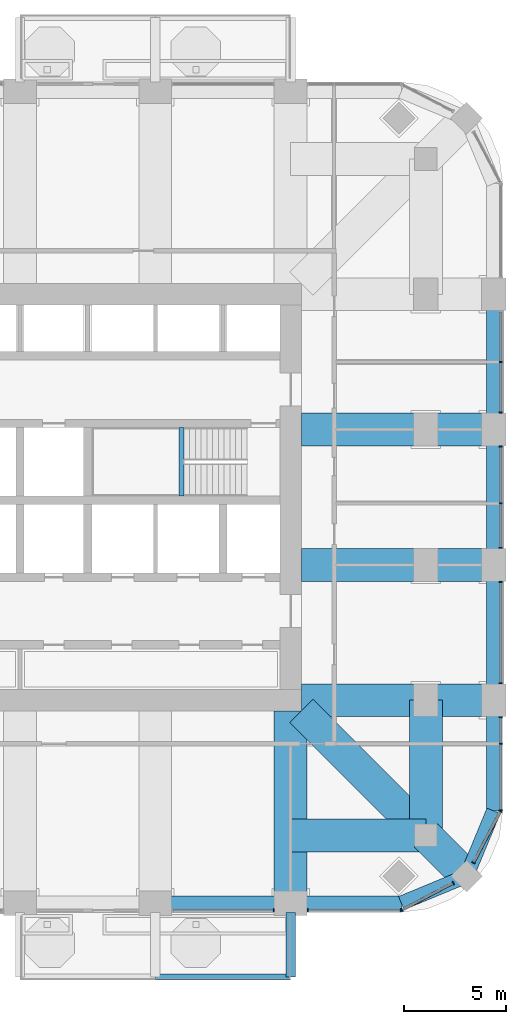
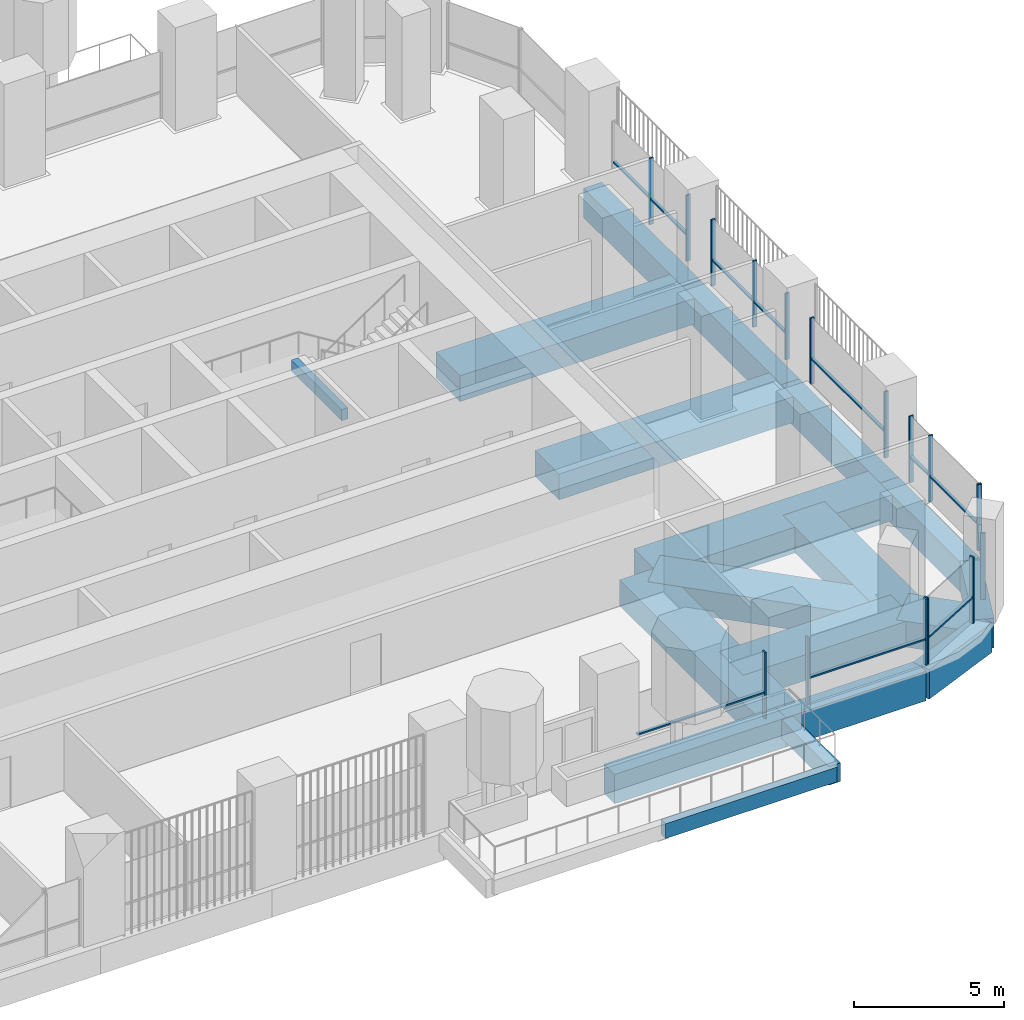
# One storey, part 5 of 19: 28 members, 19 beams, 8 elements without a shape of their own.
"""IFC4 building model written with IfcOpenShell, lengths in metres."""

from ifc_helpers import new_model, si_unit, direction, frame, origin, origin_2d, place, context, subcontext, project, spatial, rectangle, extrude, material, material_profile, profile_set, type_object, element, aggregate, save


model = new_model("IFC4")

# Units and contexts
model_context = context("Model", 3, precision=1e-05, world=origin(), true_north=direction((0.0, 1.0)))
body_context = subcontext(model_context, "Body", "Model", "MODEL_VIEW")
ifc_project = project(units=[si_unit("LENGTHUNIT", "METRE"), si_unit("AREAUNIT", "SQUARE_METRE"), si_unit("VOLUMEUNIT", "CUBIC_METRE"), si_unit("PLANEANGLEUNIT", "RADIAN"), si_unit("MASSUNIT", "GRAM", prefix="KILO")], contexts=[model_context])

# Site, building, storey
site_placement = place(None, origin())
site = spatial("IfcSite", under=ifc_project, at=site_placement, CompositionType="ELEMENT")
building_placement = place(site_placement, origin())
building = spatial("IfcBuilding", under=site, at=building_placement, Name="Cobogo Forest Laboratory Tower", CompositionType="ELEMENT")
storey_placement = place(building_placement, frame((0.0, 0.0, 206.10009765625)))
storey = spatial("IfcBuildingStorey", under=building, at=storey_placement, Name="L47", CompositionType="ELEMENT", Elevation=206.10009765625)

# Beams
ifc_material_1 = material(Name="Concrete HA-40 (C40/50)", Category="concrete")
ifc_material_profile_1 = material_profile(ifc_material_1, rectangle(XDim=0.449951171875, YDim=0.75, at=origin_2d()), Name="RC 450x750")
ifc_profile_set_1 = profile_set([ifc_material_profile_1], Name="Concrete HA-40 (C40/50)")
beam_type_1 = type_object("IfcBeamType", Name="Balcony cantilever beam 450x750", PredefinedType="BEAM", material=ifc_profile_set_1)
beam_1_placement = place(storey_placement, frame((39.60009765625, 2.85009765625, -0.625), z_axis=(0.0, -1.0, 0.0), x_axis=(1.0, 0.0, 0.0)))
element("IfcBeam", 1, at=beam_1_placement, inside=storey, type_object=beam_type_1, Name="CB1 BAL-S1-C3 L47", PredefinedType="BEAM", context=body_context, shape_type="SweptSolid", body=[
    extrude(rectangle(XDim=0.449951171875, YDim=0.75, at=origin_2d()), origin(), (0.0, 0.0, 1.0), 3.150146484375),
])
ifc_material_profile_2 = material_profile(ifc_material_1, rectangle(XDim=0.300048828125, YDim=0.60009765625, at=origin_2d()), Name="RC 300x600")
ifc_profile_set_2 = profile_set([ifc_material_profile_2], Name="Concrete HA-40 (C40/50)")
beam_type_2 = type_object("IfcBeamType", Name="Balcony edge beam 300x600", PredefinedType="BEAM", material=ifc_profile_set_2)
beam_2_placement = place(storey_placement, frame((33.0, -0.300048828125, -0.550048828125), z_axis=(1.0, 0.0, 0.0), x_axis=(0.0, 1.0, 0.0)))
element("IfcBeam", 2, at=beam_2_placement, inside=storey, type_object=beam_type_2, Name="BB1 BAL-S1-T2 L47", PredefinedType="BEAM", context=body_context, shape_type="SweptSolid", body=[
    extrude(rectangle(XDim=0.300048828125, YDim=0.60009765625, at=origin_2d()), origin(), (0.0, 0.0, 1.0), 6.60009765625),
])
ifc_material_profile_3 = material_profile(ifc_material_1, rectangle(XDim=0.25, YDim=0.449951171875, at=origin_2d()), Name="RC 250x450")
ifc_profile_set_3 = profile_set([ifc_material_profile_3], Name="Concrete HA-40 (C40/50)")
beam_type_3 = type_object("IfcBeamType", Name="LB1 landing beam 250x450", PredefinedType="BEAM", material=ifc_profile_set_3)
beam_3_placement = place(storey_placement, frame((34.27001953125, 23.14990234375, 1.6748046875), z_axis=(0.0, 1.0, 0.0), x_axis=(-1.0, 0.0, 0.0)))
element("IfcBeam", 3, at=beam_3_placement, inside=storey, type_object=beam_type_3, Name="Landing beam ST2 L47", PredefinedType="BEAM", context=body_context, shape_type="SweptSolid", body=[
    extrude(rectangle(XDim=0.25, YDim=0.449951171875, at=origin_2d()), origin(), (0.0, 0.0, 1.0), 3.35009765625),
])
ifc_material_2 = material(Name="Concrete HA-50 (C50/60)", Category="concrete")
ifc_material_profile_4 = material_profile(ifc_material_2, rectangle(XDim=1.60009765625, YDim=1.050048828125, at=origin_2d()), Name="RC 1600x1050")
ifc_profile_set_4 = profile_set([ifc_material_profile_4], Name="Concrete HA-50 (C50/60)")
beam_type_4 = type_object("IfcBeamType", Name="Laboratory floor wide beam 1600x1050", PredefinedType="BEAM", material=ifc_profile_set_4)
for number, where, z_axis, x_axis, name in (
    (4, (39.60009765625, 12.675048828125, -0.8251953125), (0.0, -1.0, 0.0), (1.0, 0.0, 0.0), "RB8 R-7-S L47"),
    (5, (40.125, 13.199951171875, -0.8251953125), (1.0, 0.0, 0.0), (0.0, 1.0, 0.0), "RB8 R-C-E L47"),
    (6, (40.125, 19.800048828125, -0.8251953125), (1.0, 0.0, 0.0), (0.0, 1.0, 0.0), "RB8 R-D-E L47"),
    (7, (40.125, 26.39990234375, -0.8251953125), (1.0, 0.0, 0.0), (0.0, 1.0, 0.0), "RB8 R-E-E L47"),
):
    element("IfcBeam", number, at=place(storey_placement, frame(where, z_axis=z_axis, x_axis=x_axis)), inside=storey, type_object=beam_type_4, Name=name, PredefinedType="BEAM", context=body_context, shape_type="SweptSolid", body=[
        extrude(rectangle(XDim=1.60009765625, YDim=1.050048828125, at=origin_2d()), origin(), (0.0, 0.0, 1.0), 9.375),
    ])
for number, where, z_axis, x_axis, name in (
    (8, (46.199951171875, 6.60009765625, -0.8251953125), (0.0, 1.0, 0.0), (-1.0, 0.0, 0.0), "RB8 G-SE-XC L47"),
    (9, (46.199951171875, 6.60009765625, -0.8251953125), (-1.0, 0.0, 0.0), (0.0, -1.0, 0.0), "RB8 G-SE-YC L47"),
):
    element("IfcBeam", number, at=place(storey_placement, frame(where, z_axis=z_axis, x_axis=x_axis)), inside=storey, type_object=beam_type_4, Name=name, PredefinedType="BEAM", context=body_context, shape_type="SweptSolid", body=[
        extrude(rectangle(XDim=1.60009765625, YDim=1.050048828125, at=origin_2d()), origin(), (0.0, 0.0, 1.0), 6.599853515625),
    ])
beam_4_placement = place(storey_placement, frame((48.181884765625, 4.617919921875, -0.8251953125), z_axis=(-0.707063230743, 0.707150328948, 0.0), x_axis=(-0.707150328948, -0.707063230743, 0.0)))
element("IfcBeam", 10, at=beam_4_placement, inside=storey, type_object=beam_type_4, Name="RB8 G-SE-D1 L47", PredefinedType="BEAM", context=body_context, shape_type="SweptSolid", body=[
    extrude(rectangle(XDim=1.60009765625, YDim=1.050048828125, at=origin_2d()), origin(), (0.0, 0.0, 1.0), 2.802978515625),
])
beam_5_placement = place(storey_placement, frame((46.199951171875, 6.60009765625, -0.8251953125), z_axis=(-0.707106781187, 0.707106781187, 0.0), x_axis=(-0.707106781187, -0.707106781187, 0.0)))
element("IfcBeam", 11, at=beam_5_placement, inside=storey, type_object=beam_type_4, Name="RB8 G-SE-D2 L47", PredefinedType="BEAM", context=body_context, shape_type="SweptSolid", body=[
    extrude(rectangle(XDim=1.60009765625, YDim=1.050048828125, at=origin_2d()), origin(), (0.0, 0.0, 1.0), 8.59130859375),
])

# Curtain wall, member
ifc_material_3 = material(Name="Aluminium curtain wall", Category="aluminium")
curtain_wall_type = type_object("IfcCurtainWallType", Name="CW-2 unitised curtain wall, solar control glazing, laboratory floors zones C and D", PredefinedType="USERDEFINED", material=ifc_material_3)
curtain_wall_1_placement = place(storey_placement, origin())
curtain_wall_1 = element("IfcCurtainWall", 12, at=curtain_wall_1_placement, inside=storey, type_object=curtain_wall_type, Name="Curtain wall 05 L47", ObjectType="UNITISED CURTAIN WALL", PredefinedType="USERDEFINED")
ifc_material_4 = material(Name="Aluminium mullion", Category="aluminium")
ifc_material_profile_5 = material_profile(ifc_material_4, rectangle(XDim=0.06005859375, YDim=0.159912109375, at=origin_2d()), Name="AL 60x160")
ifc_profile_set_5 = profile_set([ifc_material_profile_5], Name="Aluminium mullion")
member_type_1 = type_object("IfcMemberType", Name="MU-1 aluminium mullion 60x160", PredefinedType="MULLION", material=ifc_profile_set_5)
member_1_placement = place(storey_placement, frame((38.77001953125, 2.949951171875, 0.0), z_axis=(0.0, 0.0, 1.0), x_axis=(1.0, 0.0, 0.0)))
member_1 = element("IfcMember", 13, at=member_1_placement, type_object=member_type_1, Name="CW-2 mullion 2", PredefinedType="MULLION", context=body_context, shape_type="SweptSolid", body=[
    extrude(rectangle(XDim=0.06005859375, YDim=0.159912109375, at=origin_2d()), origin(), (0.0, 0.0, 1.0), 2.699951171875),
])

# Curtain wall, members
curtain_wall_2_placement = place(storey_placement, origin())
curtain_wall_2 = element("IfcCurtainWall", 14, at=curtain_wall_2_placement, inside=storey, type_object=curtain_wall_type, Name="Curtain wall 06 L47", ObjectType="UNITISED CURTAIN WALL", PredefinedType="USERDEFINED")
member_2_placement = place(storey_placement, frame((40.429931640625, 2.949951171875, 0.0), z_axis=(0.0, 0.0, 1.0), x_axis=(1.0, 0.0, 0.0)))
member_2 = element("IfcMember", 15, at=member_2_placement, type_object=member_type_1, Name="CW-2 mullion 1", PredefinedType="MULLION", context=body_context, shape_type="SweptSolid", body=[
    extrude(rectangle(XDim=0.06005859375, YDim=0.159912109375, at=origin_2d()), origin(), (0.0, 0.0, 1.0), 2.699951171875),
])
member_3_placement = place(storey_placement, frame((44.969970703125, 2.949951171875, 0.0), z_axis=(0.0, 0.0, 1.0), x_axis=(1.0, 0.0, 0.0)))
member_3 = element("IfcMember", 16, at=member_3_placement, type_object=member_type_1, Name="CW-2 mullion 2", PredefinedType="MULLION", context=body_context, shape_type="SweptSolid", body=[
    extrude(rectangle(XDim=0.06005859375, YDim=0.159912109375, at=origin_2d()), origin(), (0.0, 0.0, 1.0), 2.699951171875),
])

curtain_wall_3_placement = place(storey_placement, origin())
curtain_wall_3 = element("IfcCurtainWall", 17, at=curtain_wall_3_placement, inside=storey, type_object=curtain_wall_type, Name="Curtain wall 07 L47", ObjectType="UNITISED CURTAIN WALL", PredefinedType="USERDEFINED")
member_4_placement = place(storey_placement, frame((45.026611328125, 2.9638671875, 0.0), z_axis=(0.0, 0.0, 1.0), x_axis=(0.885686484356, 0.464283804832, 0.0)))
member_4 = element("IfcMember", 18, at=member_4_placement, type_object=member_type_1, Name="CW-2 mullion 1", PredefinedType="MULLION", context=body_context, shape_type="SweptSolid", body=[
    extrude(rectangle(XDim=0.06005859375, YDim=0.159912109375, at=origin_2d()), origin(), (0.0, 0.0, 1.0), 2.699951171875),
])
member_5_placement = place(storey_placement, frame((47.5244140625, 4.2734375, 0.0), z_axis=(0.0, 0.0, 1.0), x_axis=(0.885686484356, 0.464283804832, 0.0)))
member_5 = element("IfcMember", 19, at=member_5_placement, type_object=member_type_1, Name="CW-2 mullion 2", PredefinedType="MULLION", context=body_context, shape_type="SweptSolid", body=[
    extrude(rectangle(XDim=0.06005859375, YDim=0.159912109375, at=origin_2d()), origin(), (0.0, 0.0, 1.0), 2.699951171875),
])

curtain_wall_4_placement = place(storey_placement, origin())
curtain_wall_4 = element("IfcCurtainWall", 20, at=curtain_wall_4_placement, inside=storey, type_object=curtain_wall_type, Name="Curtain wall 08 L47", ObjectType="UNITISED CURTAIN WALL", PredefinedType="USERDEFINED")
member_6_placement = place(storey_placement, frame((48.526611328125, 5.275634765625, 0.0), z_axis=(0.0, 0.0, 1.0), x_axis=(0.464283804832, 0.885686484356, 0.0)))
member_6 = element("IfcMember", 21, at=member_6_placement, type_object=member_type_1, Name="CW-2 mullion 1", PredefinedType="MULLION", context=body_context, shape_type="SweptSolid", body=[
    extrude(rectangle(XDim=0.06005859375, YDim=0.159912109375, at=origin_2d()), origin(), (0.0, 0.0, 1.0), 2.699951171875),
])
member_7_placement = place(storey_placement, frame((49.836181640625, 7.7734375, 0.0), z_axis=(0.0, 0.0, 1.0), x_axis=(0.464283804832, 0.885686484356, 0.0)))
member_7 = element("IfcMember", 22, at=member_7_placement, type_object=member_type_1, Name="CW-2 mullion 2", PredefinedType="MULLION", context=body_context, shape_type="SweptSolid", body=[
    extrude(rectangle(XDim=0.06005859375, YDim=0.159912109375, at=origin_2d()), origin(), (0.0, 0.0, 1.0), 2.699951171875),
])

curtain_wall_5_placement = place(storey_placement, origin())
curtain_wall_5 = element("IfcCurtainWall", 23, at=curtain_wall_5_placement, inside=storey, type_object=curtain_wall_type, Name="Curtain wall 09 L47", ObjectType="UNITISED CURTAIN WALL", PredefinedType="USERDEFINED")
member_8_placement = place(storey_placement, frame((49.85009765625, 7.830078125, 0.0), z_axis=(0.0, 0.0, 1.0), x_axis=(0.0, 1.0, 0.0)))
member_8 = element("IfcMember", 24, at=member_8_placement, type_object=member_type_1, Name="CW-2 mullion 1", PredefinedType="MULLION", context=body_context, shape_type="SweptSolid", body=[
    extrude(rectangle(XDim=0.06005859375, YDim=0.159912109375, at=origin_2d()), origin(), (0.0, 0.0, 1.0), 2.699951171875),
])
member_9_placement = place(storey_placement, frame((49.85009765625, 11.074951171875, 0.0), z_axis=(0.0, 0.0, 1.0), x_axis=(0.0, 1.0, 0.0)))
member_9 = element("IfcMember", 25, at=member_9_placement, type_object=member_type_1, Name="CW-2 mullion 2", PredefinedType="MULLION", context=body_context, shape_type="SweptSolid", body=[
    extrude(rectangle(XDim=0.06005859375, YDim=0.159912109375, at=origin_2d()), origin(), (0.0, 0.0, 1.0), 2.699951171875),
])
member_10_placement = place(storey_placement, frame((49.85009765625, 12.3701171875, 0.0), z_axis=(0.0, 0.0, 1.0), x_axis=(0.0, 1.0, 0.0)))
member_10 = element("IfcMember", 26, at=member_10_placement, type_object=member_type_1, Name="CW-2 mullion 3", PredefinedType="MULLION", context=body_context, shape_type="SweptSolid", body=[
    extrude(rectangle(XDim=0.06005859375, YDim=0.159912109375, at=origin_2d()), origin(), (0.0, 0.0, 1.0), 2.699951171875),
])

curtain_wall_6_placement = place(storey_placement, origin())
curtain_wall_6 = element("IfcCurtainWall", 27, at=curtain_wall_6_placement, inside=storey, type_object=curtain_wall_type, Name="Curtain wall 10 L47", ObjectType="UNITISED CURTAIN WALL", PredefinedType="USERDEFINED")
member_11_placement = place(storey_placement, frame((49.85009765625, 14.030029296875, 0.0), z_axis=(0.0, 0.0, 1.0), x_axis=(0.0, 1.0, 0.0)))
member_11 = element("IfcMember", 28, at=member_11_placement, type_object=member_type_1, Name="CW-2 mullion 1", PredefinedType="MULLION", context=body_context, shape_type="SweptSolid", body=[
    extrude(rectangle(XDim=0.06005859375, YDim=0.159912109375, at=origin_2d()), origin(), (0.0, 0.0, 1.0), 2.699951171875),
])
member_12_placement = place(storey_placement, frame((49.85009765625, 18.969970703125, 0.0), z_axis=(0.0, 0.0, 1.0), x_axis=(0.0, 1.0, 0.0)))
member_12 = element("IfcMember", 29, at=member_12_placement, type_object=member_type_1, Name="CW-2 mullion 2", PredefinedType="MULLION", context=body_context, shape_type="SweptSolid", body=[
    extrude(rectangle(XDim=0.06005859375, YDim=0.159912109375, at=origin_2d()), origin(), (0.0, 0.0, 1.0), 2.699951171875),
])

curtain_wall_7_placement = place(storey_placement, origin())
curtain_wall_7 = element("IfcCurtainWall", 30, at=curtain_wall_7_placement, inside=storey, type_object=curtain_wall_type, Name="Curtain wall 11 L47", ObjectType="UNITISED CURTAIN WALL", PredefinedType="USERDEFINED")
member_13_placement = place(storey_placement, frame((49.85009765625, 20.6298828125, 0.0), z_axis=(0.0, 0.0, 1.0), x_axis=(0.0, 1.0, 0.0)))
member_13 = element("IfcMember", 31, at=member_13_placement, type_object=member_type_1, Name="CW-2 mullion 1", PredefinedType="MULLION", context=body_context, shape_type="SweptSolid", body=[
    extrude(rectangle(XDim=0.06005859375, YDim=0.159912109375, at=origin_2d()), origin(), (0.0, 0.0, 1.0), 2.699951171875),
])
member_14_placement = place(storey_placement, frame((49.85009765625, 22.800048828125, 0.0), z_axis=(0.0, 0.0, 1.0), x_axis=(0.0, 1.0, 0.0)))
member_14 = element("IfcMember", 32, at=member_14_placement, type_object=member_type_1, Name="CW-2 mullion 2", PredefinedType="MULLION", context=body_context, shape_type="SweptSolid", body=[
    extrude(rectangle(XDim=0.06005859375, YDim=0.159912109375, at=origin_2d()), origin(), (0.0, 0.0, 1.0), 2.699951171875),
])
member_15_placement = place(storey_placement, frame((49.85009765625, 25.570068359375, 0.0), z_axis=(0.0, 0.0, 1.0), x_axis=(0.0, 1.0, 0.0)))
member_15 = element("IfcMember", 33, at=member_15_placement, type_object=member_type_1, Name="CW-2 mullion 3", PredefinedType="MULLION", context=body_context, shape_type="SweptSolid", body=[
    extrude(rectangle(XDim=0.06005859375, YDim=0.159912109375, at=origin_2d()), origin(), (0.0, 0.0, 1.0), 2.699951171875),
])

curtain_wall_8_placement = place(storey_placement, origin())
curtain_wall_8 = element("IfcCurtainWall", 34, at=curtain_wall_8_placement, inside=storey, type_object=curtain_wall_type, Name="Curtain wall 12 L47", ObjectType="UNITISED CURTAIN WALL", PredefinedType="USERDEFINED")
member_16_placement = place(storey_placement, frame((49.85009765625, 27.22998046875, 0.0), z_axis=(0.0, 0.0, 1.0), x_axis=(0.0, 1.0, 0.0)))
member_16 = element("IfcMember", 35, at=member_16_placement, type_object=member_type_1, Name="CW-2 mullion 1", PredefinedType="MULLION", context=body_context, shape_type="SweptSolid", body=[
    extrude(rectangle(XDim=0.06005859375, YDim=0.159912109375, at=origin_2d()), origin(), (0.0, 0.0, 1.0), 2.699951171875),
])
member_17_placement = place(storey_placement, frame((49.85009765625, 29.699951171875, 0.0), z_axis=(0.0, 0.0, 1.0), x_axis=(0.0, 1.0, 0.0)))
member_17 = element("IfcMember", 36, at=member_17_placement, type_object=member_type_1, Name="CW-2 mullion 2", PredefinedType="MULLION", context=body_context, shape_type="SweptSolid", body=[
    extrude(rectangle(XDim=0.06005859375, YDim=0.159912109375, at=origin_2d()), origin(), (0.0, 0.0, 1.0), 2.699951171875),
])

# Beams
ifc_material_profile_6 = material_profile(ifc_material_1, rectangle(XDim=0.699951171875, YDim=1.199951171875, at=origin_2d()), Name="RC 700x1200")
ifc_profile_set_6 = profile_set([ifc_material_profile_6], Name="Concrete HA-40 (C40/50)")
beam_type_5 = type_object("IfcBeamType", Name="Perimeter edge beam 700x1200", PredefinedType="BEAM", material=ifc_profile_set_6)
for number, where, z_axis, x_axis, name in (
    (37, (33.0, 3.300048828125, -0.900146484375), (1.0, 0.0, 0.0), (0.0, 1.0, 0.0), "EB1 E-S4 L47"),
    (38, (49.5, 13.199951171875, -0.900146484375), (0.0, 1.0, 0.0), (-1.0, 0.0, 0.0), "EB1 E-E1 L47"),
):
    element("IfcBeam", number, at=place(storey_placement, frame(where, z_axis=z_axis, x_axis=x_axis)), inside=storey, type_object=beam_type_5, Name=name, PredefinedType="BEAM", context=body_context, shape_type="SweptSolid", body=[
        extrude(rectangle(XDim=0.699951171875, YDim=1.199951171875, at=origin_2d()), origin(), (0.0, 0.0, 1.0), 6.60009765625),
    ])
beam_6_placement = place(storey_placement, frame((49.5, 19.800048828125, -0.900146484375), z_axis=(0.0, 1.0, 0.0), x_axis=(-1.0, 0.0, 0.0)))
element("IfcBeam", 39, at=beam_6_placement, inside=storey, type_object=beam_type_5, Name="EB1 E-E2 L47", PredefinedType="BEAM", context=body_context, shape_type="SweptSolid", body=[
    extrude(rectangle(XDim=0.699951171875, YDim=1.199951171875, at=origin_2d()), origin(), (0.0, 0.0, 1.0), 6.599853515625),
])
beam_7_placement = place(storey_placement, frame((49.5, 26.39990234375, -0.900146484375), z_axis=(0.0, 1.0, 0.0), x_axis=(-1.0, 0.0, 0.0)))
element("IfcBeam", 40, at=beam_7_placement, inside=storey, type_object=beam_type_5, Name="EB1 E-E3 L47", PredefinedType="BEAM", context=body_context, shape_type="SweptSolid", body=[
    extrude(rectangle(XDim=0.699951171875, YDim=1.199951171875, at=origin_2d()), origin(), (0.0, 0.0, 1.0), 6.60009765625),
])
beam_8_placement = place(storey_placement, frame((39.60009765625, 3.300048828125, -0.900146484375), z_axis=(1.0, 0.0, 0.0), x_axis=(0.0, 1.0, 0.0)))
element("IfcBeam", 41, at=beam_8_placement, inside=storey, type_object=beam_type_5, Name="EB1 E-SES1 L47", PredefinedType="BEAM", context=body_context, shape_type="SweptSolid", body=[
    extrude(rectangle(XDim=0.699951171875, YDim=1.199951171875, at=origin_2d()), origin(), (0.0, 0.0, 1.0), 5.39990234375),
])
beam_9_placement = place(storey_placement, frame((45.0, 3.300048828125, -0.900146484375), z_axis=(0.923890694089, 0.382656484822, 0.0), x_axis=(-0.382656484822, 0.923890694089, 0.0)))
element("IfcBeam", 42, at=beam_9_placement, inside=storey, type_object=beam_type_5, Name="EB1 E-SES2 L47", PredefinedType="BEAM", context=body_context, shape_type="SweptSolid", body=[
    extrude(rectangle(XDim=0.699951171875, YDim=1.199951171875, at=origin_2d()), origin(), (0.0, 0.0, 1.0), 3.444091796875),
])
beam_10_placement = place(storey_placement, frame((49.5, 13.199951171875, -0.900146484375), z_axis=(0.0, -1.0, 0.0), x_axis=(1.0, 0.0, 0.0)))
element("IfcBeam", 43, at=beam_10_placement, inside=storey, type_object=beam_type_5, Name="EB1 E-SEE1 L47", PredefinedType="BEAM", context=body_context, shape_type="SweptSolid", body=[
    extrude(rectangle(XDim=0.699951171875, YDim=1.199951171875, at=origin_2d()), origin(), (0.0, 0.0, 1.0), 5.39990234375),
])
beam_11_placement = place(storey_placement, frame((49.5, 7.800048828125, -0.900146484375), z_axis=(-0.382691928466, -0.923876013265, 0.0), x_axis=(0.923876013265, -0.382691928466, 0.0)))
element("IfcBeam", 44, at=beam_11_placement, inside=storey, type_object=beam_type_5, Name="EB1 E-SEE2 L47", PredefinedType="BEAM", context=body_context, shape_type="SweptSolid", body=[
    extrude(rectangle(XDim=0.699951171875, YDim=1.199951171875, at=origin_2d()), origin(), (0.0, 0.0, 1.0), 3.4443359375),
])

# Member
ifc_material_5 = material(Name="Aluminium transom", Category="aluminium")
ifc_material_profile_7 = material_profile(ifc_material_5, rectangle(XDim=0.1201171875, YDim=0.06005859375, at=origin_2d()), Name="AL 60x120")
ifc_profile_set_7 = profile_set([ifc_material_profile_7], Name="Aluminium transom")
member_type_2 = type_object("IfcMemberType", Name="TR-1 aluminium transom 60x120", PredefinedType="USERDEFINED", material=ifc_profile_set_7)
member_18_placement = place(storey_placement, frame((33.860107421875, 2.949951171875, 1.0498046875), z_axis=(1.0, 0.0, 0.0), x_axis=(0.0, 1.0, 0.0)))
member_18 = element("IfcMember", 45, at=member_18_placement, type_object=member_type_2, Name="CW-2 transom 1.1", ObjectType="TRANSOM", PredefinedType="USERDEFINED", context=body_context, shape_type="SweptSolid", body=[
    extrude(rectangle(XDim=0.1201171875, YDim=0.06005859375, at=origin_2d()), origin(), (0.0, 0.0, 1.0), 4.8798828125),
])

aggregate(curtain_wall_1, [member_1, member_18])

member_19_placement = place(storey_placement, frame((40.4599609375, 2.949951171875, 1.0498046875), z_axis=(1.0, 0.0, 0.0), x_axis=(0.0, 1.0, 0.0)))
member_19 = element("IfcMember", 46, at=member_19_placement, type_object=member_type_2, Name="CW-2 transom 1.1", ObjectType="TRANSOM", PredefinedType="USERDEFINED", context=body_context, shape_type="SweptSolid", body=[
    extrude(rectangle(XDim=0.1201171875, YDim=0.06005859375, at=origin_2d()), origin(), (0.0, 0.0, 1.0), 4.47998046875),
])

aggregate(curtain_wall_2, [member_2, member_3, member_19])

member_20_placement = place(storey_placement, frame((45.05322265625, 2.977783203125, 1.0498046875), z_axis=(0.885646224078, 0.464360598863, 0.0), x_axis=(-0.464360598863, 0.885646224078, 0.0)))
member_20 = element("IfcMember", 47, at=member_20_placement, type_object=member_type_2, Name="CW-2 transom 1.1", ObjectType="TRANSOM", PredefinedType="USERDEFINED", context=body_context, shape_type="SweptSolid", body=[
    extrude(rectangle(XDim=0.1201171875, YDim=0.06005859375, at=origin_2d()), origin(), (0.0, 0.0, 1.0), 2.76025390625),
])

aggregate(curtain_wall_3, [member_4, member_5, member_20])

member_21_placement = place(storey_placement, frame((48.54052734375, 5.302001953125, 1.0498046875), z_axis=(0.464254846591, 0.88570166389, 0.0), x_axis=(-0.88570166389, 0.464254846591, 0.0)))
member_21 = element("IfcMember", 48, at=member_21_placement, type_object=member_type_2, Name="CW-2 transom 1.1", ObjectType="TRANSOM", PredefinedType="USERDEFINED", context=body_context, shape_type="SweptSolid", body=[
    extrude(rectangle(XDim=0.1201171875, YDim=0.06005859375, at=origin_2d()), origin(), (0.0, 0.0, 1.0), 2.76025390625),
])

aggregate(curtain_wall_4, [member_6, member_7, member_21])

member_22_placement = place(storey_placement, frame((49.85009765625, 7.860107421875, 1.0498046875), z_axis=(0.0, 1.0, 0.0), x_axis=(-1.0, 0.0, 0.0)))
member_22 = element("IfcMember", 49, at=member_22_placement, type_object=member_type_2, Name="CW-2 transom 1.1", ObjectType="TRANSOM", PredefinedType="USERDEFINED", context=body_context, shape_type="SweptSolid", body=[
    extrude(rectangle(XDim=0.1201171875, YDim=0.06005859375, at=origin_2d()), origin(), (0.0, 0.0, 1.0), 3.184814453125),
])

member_23_placement = place(storey_placement, frame((49.85009765625, 11.10498046875, 1.0498046875), z_axis=(0.0, 1.0, 0.0), x_axis=(-1.0, 0.0, 0.0)))
member_23 = element("IfcMember", 50, at=member_23_placement, type_object=member_type_2, Name="CW-2 transom 2.1", ObjectType="TRANSOM", PredefinedType="USERDEFINED", context=body_context, shape_type="SweptSolid", body=[
    extrude(rectangle(XDim=0.1201171875, YDim=0.06005859375, at=origin_2d()), origin(), (0.0, 0.0, 1.0), 1.235107421875),
])

aggregate(curtain_wall_5, [member_8, member_9, member_10, member_22, member_23])

member_24_placement = place(storey_placement, frame((49.85009765625, 14.06005859375, 1.0498046875), z_axis=(0.0, 1.0, 0.0), x_axis=(-1.0, 0.0, 0.0)))
member_24 = element("IfcMember", 51, at=member_24_placement, type_object=member_type_2, Name="CW-2 transom 1.1", ObjectType="TRANSOM", PredefinedType="USERDEFINED", context=body_context, shape_type="SweptSolid", body=[
    extrude(rectangle(XDim=0.1201171875, YDim=0.06005859375, at=origin_2d()), origin(), (0.0, 0.0, 1.0), 4.8798828125),
])

aggregate(curtain_wall_6, [member_11, member_12, member_24])

member_25_placement = place(storey_placement, frame((49.85009765625, 20.659912109375, 1.0498046875), z_axis=(0.0, 1.0, 0.0), x_axis=(-1.0, 0.0, 0.0)))
member_25 = element("IfcMember", 52, at=member_25_placement, type_object=member_type_2, Name="CW-2 transom 1.1", ObjectType="TRANSOM", PredefinedType="USERDEFINED", context=body_context, shape_type="SweptSolid", body=[
    extrude(rectangle(XDim=0.1201171875, YDim=0.06005859375, at=origin_2d()), origin(), (0.0, 0.0, 1.0), 2.110107421875),
])

member_26_placement = place(storey_placement, frame((49.85009765625, 22.830078125, 1.0498046875), z_axis=(0.0, 1.0, 0.0), x_axis=(-1.0, 0.0, 0.0)))
member_26 = element("IfcMember", 53, at=member_26_placement, type_object=member_type_2, Name="CW-2 transom 2.1", ObjectType="TRANSOM", PredefinedType="USERDEFINED", context=body_context, shape_type="SweptSolid", body=[
    extrude(rectangle(XDim=0.1201171875, YDim=0.06005859375, at=origin_2d()), origin(), (0.0, 0.0, 1.0), 2.7099609375),
])

aggregate(curtain_wall_7, [member_13, member_14, member_15, member_25, member_26])

member_27_placement = place(storey_placement, frame((49.85009765625, 27.260009765625, 1.0498046875), z_axis=(0.0, 1.0, 0.0), x_axis=(-1.0, 0.0, 0.0)))
member_27 = element("IfcMember", 54, at=member_27_placement, type_object=member_type_2, Name="CW-2 transom 1.1", ObjectType="TRANSOM", PredefinedType="USERDEFINED", context=body_context, shape_type="SweptSolid", body=[
    extrude(rectangle(XDim=0.1201171875, YDim=0.06005859375, at=origin_2d()), origin(), (0.0, 0.0, 1.0), 2.409912109375),
])

member_28_placement = place(storey_placement, frame((49.85009765625, 29.72998046875, 1.0498046875), z_axis=(0.0, 1.0, 0.0), x_axis=(-1.0, 0.0, 0.0)))
member_28 = element("IfcMember", 55, at=member_28_placement, type_object=member_type_2, Name="CW-2 transom 2.1", ObjectType="TRANSOM", PredefinedType="USERDEFINED", context=body_context, shape_type="SweptSolid", body=[
    extrude(rectangle(XDim=0.1201171875, YDim=0.06005859375, at=origin_2d()), origin(), (0.0, 0.0, 1.0), 2.409912109375),
])

aggregate(curtain_wall_8, [member_16, member_17, member_27, member_28])

save(model, "model.ifc")
